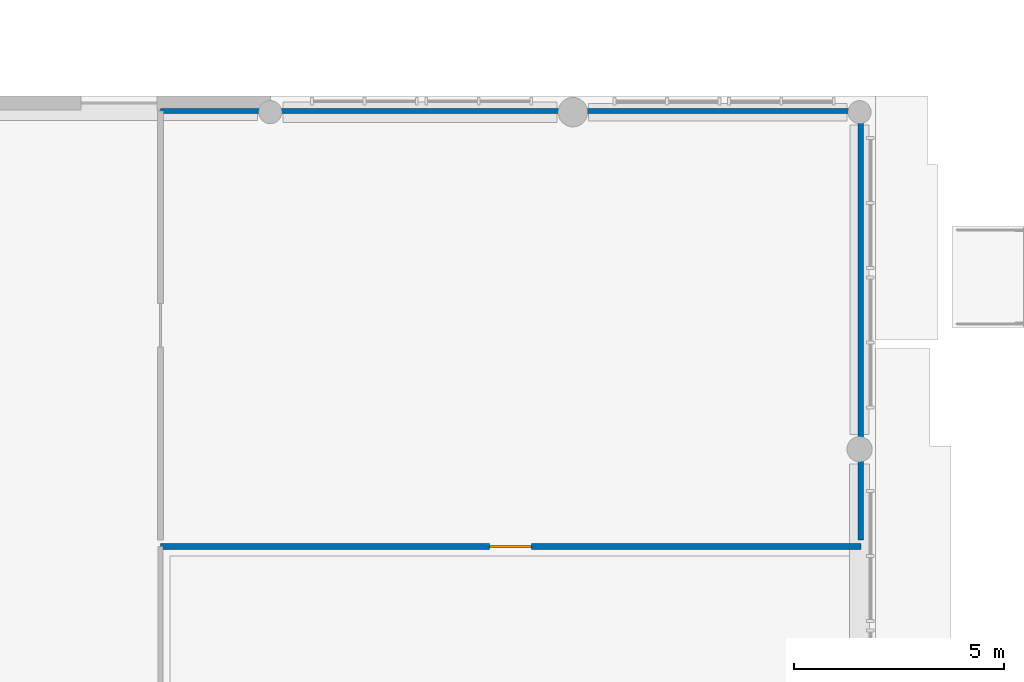
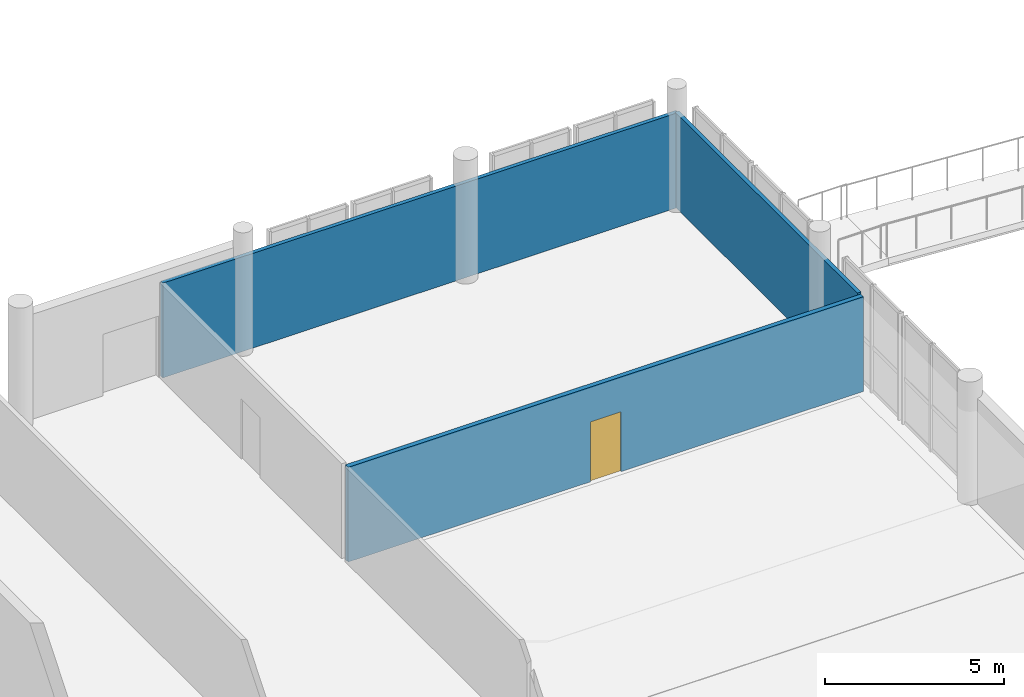
# One storey, part 59 of 77: 3 walls, 1 door, 1 opening.
"""IFC4 building model written with IfcOpenShell, lengths in metres."""

from ifc_helpers import new_model, si_unit, direction, frame, frame_2d, origin, place, context, subcontext, project, spatial, rectangle, extrude, material, layer, layer_set, type_object, element, fill, save


model = new_model("IFC4")

# Units and contexts
model_context = context("Model", 3, precision=1e-05, world=origin(), true_north=direction((0.0, 1.0)))
body_context = subcontext(model_context, "Body", "Model", "MODEL_VIEW")
ifc_project = project(units=[si_unit("LENGTHUNIT", "METRE"), si_unit("AREAUNIT", "SQUARE_METRE"), si_unit("VOLUMEUNIT", "CUBIC_METRE"), si_unit("PLANEANGLEUNIT", "RADIAN"), si_unit("MASSUNIT", "GRAM", prefix="KILO")], contexts=[model_context])

# Site, building, storey
site_placement = place(None, origin())
site = spatial("IfcSite", under=ifc_project, at=site_placement, CompositionType="ELEMENT")
building_placement = place(site_placement, origin())
building = spatial("IfcBuilding", under=site, at=building_placement, Name="Vardoun Plaza Health Centre", CompositionType="ELEMENT")
storey_placement = place(building_placement, origin())
storey = spatial("IfcBuildingStorey", under=building, at=storey_placement, Name="L00", CompositionType="ELEMENT", Elevation=0.0)

# Wall, opening, door
ifc_material_1 = material(Name="Acoustic Gypsum Twin-Stud", Category="steel")
ifc_layer_1 = layer(ifc_material_1, 0.14990234375)
ifc_layer_set_1 = layer_set([ifc_layer_1], Name="Acoustic Gypsum Twin-Stud")
wall_type_1 = type_object("IfcWallType", Name="IW-04", PredefinedType="PARTITIONING", material=ifc_layer_set_1)
wall_1_placement = place(storey_placement, frame((59.669921875, 67.5849609375, 0.0), z_axis=(0.0, 0.0, 1.0), x_axis=(1.0, 0.0, 0.0)))
wall_1 = element("IfcWall", 1, at=wall_1_placement, inside=storey, type_object=wall_type_1, Name="Urgent Care Triage Room 1 Partition Wall", PredefinedType="PARTITIONING", context=body_context, shape_type="SweptSolid", body=[
    extrude(rectangle(XDim=16.66015625, YDim=0.14990234375, at=frame_2d((8.330078125, 0.0))), origin(), (0.0, 0.0, 1.0), 3.239990234375),
])
opening_placement = place(wall_1_placement, frame((7.830078125, 0.0, 0.0)))
opening = element("IfcOpeningElement", 2, at=opening_placement, cuts=wall_1, Name="Opening D-L00-008", PredefinedType="OPENING", context=body_context, shape_type="SweptSolid", body=[
    extrude(rectangle(XDim=1.0, YDim=2.050048828125, at=frame_2d((0.5, 1.02490234375))), frame((0.0, 0.074951171875, 0.0), z_axis=(0.0, -1.0, 0.0), x_axis=(1.0, 0.0, 0.0)), (0.0, 0.0, 1.0), 0.14990234375),
])
ifc_material_2 = material(Name="Antimicrobial Acoustic Timber and Steel S275JR", Category="steel")
door_type = type_object("IfcDoorType", Name="CD-03", OperationType="NOTDEFINED", PredefinedType="DOOR", material=ifc_material_2)
door_placement = place(opening_placement, origin())
door = element("IfcDoor", 3, at=door_placement, inside=storey, type_object=door_type, Name="Urgent Care Triage Room 1 Door D-L00-008", OperationType="SINGLE_SWING_RIGHT", OverallHeight=2.050048828125, OverallWidth=1.0, PredefinedType="DOOR", context=body_context, shape_type="SweptSolid", body=[
    extrude(rectangle(XDim=1.0, YDim=2.050048828125, at=frame_2d((0.5, 1.02490234375))), frame((0.0, 0.02490234375, 0.0), z_axis=(0.0, -1.0, 0.0), x_axis=(1.0, 0.0, 0.0)), (0.0, 0.0, 1.0), 0.050048828125),
])
fill(opening, door)

# Walls
ifc_material_3 = material(Name="Standard Clinical Sub-Partition", Category="steel")
ifc_layer_2 = layer(ifc_material_3, 0.125)
ifc_layer_set_2 = layer_set([ifc_layer_2], Name="Standard Clinical Sub-Partition")
wall_type_2 = type_object("IfcWallType", Name="IW-11", PredefinedType="PARTITIONING", material=ifc_layer_set_2)
wall_2_placement = place(storey_placement, frame((59.669921875, 77.949951171875, 0.0), z_axis=(0.0, 0.0, 1.0), x_axis=(1.0, 0.0, 0.0)))
element("IfcWall", 4, at=wall_2_placement, inside=storey, type_object=wall_type_2, Name="Urgent Care Triage Room 2 Enclosure Partition", PredefinedType="PARTITIONING", context=body_context, shape_type="SweptSolid", body=[
    extrude(rectangle(XDim=16.66015625, YDim=0.125, at=frame_2d((8.330078125, 0.0))), origin(), (0.0, 0.0, 1.0), 3.239990234375),
])
wall_3_placement = place(storey_placement, frame((76.330078125, 77.949951171875, 0.0), z_axis=(0.0, 0.0, 1.0), x_axis=(0.0, -1.0, 0.0)))
element("IfcWall", 5, at=wall_3_placement, inside=storey, type_object=wall_type_2, Name="Urgent Care Triage Room 2 Enclosure Partition", PredefinedType="PARTITIONING", context=body_context, shape_type="SweptSolid", body=[
    extrude(rectangle(XDim=10.204833984375, YDim=0.125, at=frame_2d((5.1025390625, 0.0))), origin(), (0.0, 0.0, 1.0), 3.239990234375),
])

save(model, "model.ifc")
